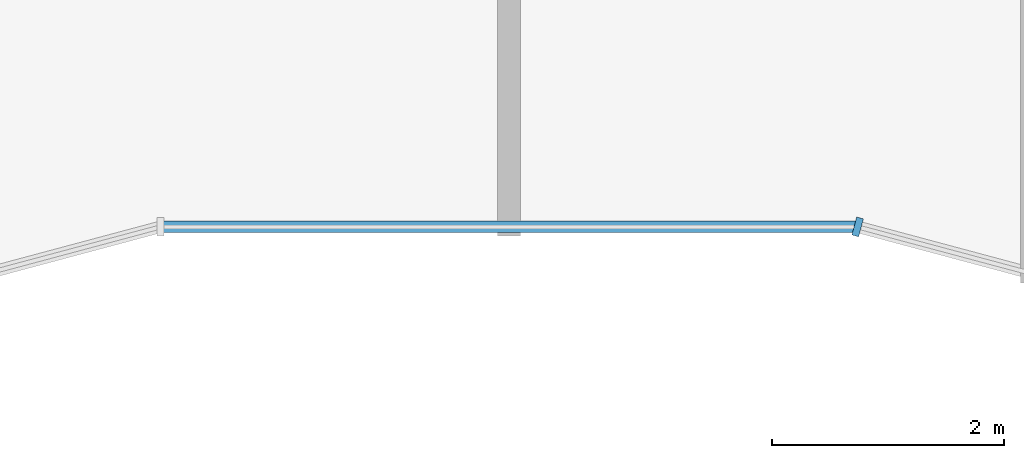
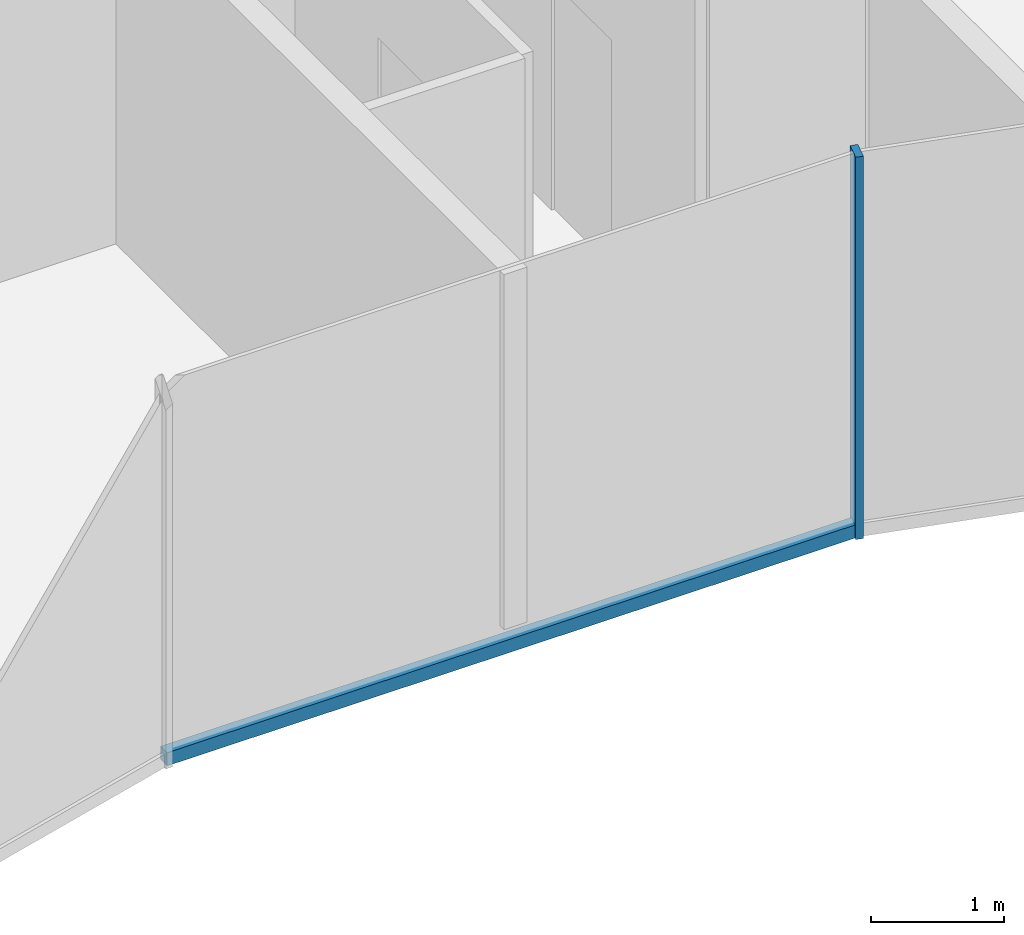
# One storey, part 3 of 17: 2 members, 2 elements without a shape of their own.
"""IFC4 building model written with IfcOpenShell, lengths in metres."""

from ifc_helpers import new_model, si_unit, direction, frame, origin, origin_2d, place, context, subcontext, project, spatial, rectangle, extrude, material, layer, layer_set, material_profile, profile_set, type_object, element, aggregate, save


model = new_model("IFC4")

# Units and contexts
model_context = context("Model", 3, precision=1e-05, world=origin(), true_north=direction((0.0, 1.0)))
body_context = subcontext(model_context, "Body", "Model", "MODEL_VIEW")
ifc_project = project(units=[si_unit("LENGTHUNIT", "METRE"), si_unit("AREAUNIT", "SQUARE_METRE"), si_unit("VOLUMEUNIT", "CUBIC_METRE"), si_unit("PLANEANGLEUNIT", "RADIAN"), si_unit("MASSUNIT", "GRAM", prefix="KILO")], contexts=[model_context])

# Site, building, storey
site_placement = place(None, origin())
site = spatial("IfcSite", under=ifc_project, at=site_placement, CompositionType="ELEMENT")
building_placement = place(site_placement, origin())
building = spatial("IfcBuilding", under=site, at=building_placement, Name="Plateau Cross Towers", CompositionType="ELEMENT")
storey_placement = place(building_placement, frame((0.0, 0.0, 142.89990234375)))
storey = spatial("IfcBuildingStorey", under=building, at=storey_placement, Name="L36", CompositionType="ELEMENT", Elevation=142.89990234375)

# Curtain wall, member
ifc_material_1 = material(Name="Dark low-iron glass", Category="glass")
ifc_layer = layer(ifc_material_1, 0.260009765625)
ifc_layer_set = layer_set([ifc_layer], Name="Dark low-iron glass")
curtain_wall_type = type_object("IfcCurtainWallType", Name="Curtain wall fluted unitised CW-A", PredefinedType="NOTDEFINED", material=ifc_layer_set)
curtain_wall_1_placement = place(storey_placement, origin())
curtain_wall_1 = element("IfcCurtainWall", 1, at=curtain_wall_1_placement, inside=storey, type_object=curtain_wall_type, Name="ENV/A/L36/A300_16", PredefinedType="NOTDEFINED")
ifc_material_2 = material(Name="Black anodised aluminium", Category="aluminium")
ifc_material_profile_1 = material_profile(ifc_material_2, rectangle(XDim=0.06005859375, YDim=0.159912109375, at=origin_2d()), Name="MULLION 60x160")
ifc_profile_set_1 = profile_set([ifc_material_profile_1], Name="Black anodised aluminium")
member_type_1 = type_object("IfcMemberType", Name="Mullion 60x160 fluted unitised", PredefinedType="MULLION", material=ifc_profile_set_1)
member_1_placement = place(storey_placement, frame((30.0, 1.60693359375, -0.25), z_axis=(0.0, 0.0, 1.0), x_axis=(0.965957983404, -0.258699003279, 0.0)))
member_1 = element("IfcMember", 2, at=member_1_placement, type_object=member_type_1, Name="CW-A mullion 1", PredefinedType="MULLION", context=body_context, shape_type="SweptSolid", body=[
    extrude(rectangle(XDim=0.06005859375, YDim=0.159912109375, at=origin_2d()), origin(), (0.0, 0.0, 1.0), 3.5),
])
aggregate(curtain_wall_1, [member_1])

curtain_wall_2_placement = place(storey_placement, origin())
curtain_wall_2 = element("IfcCurtainWall", 3, at=curtain_wall_2_placement, inside=storey, type_object=curtain_wall_type, Name="ENV/A/L36/A240_16", PredefinedType="NOTDEFINED")
ifc_material_profile_2 = material_profile(ifc_material_2, rectangle(XDim=0.10009765625, YDim=0.1201171875, at=origin_2d()), Name="TRANSOM 100x120")
ifc_profile_set_2 = profile_set([ifc_material_profile_2], Name="Black anodised aluminium")
member_type_2 = type_object("IfcMemberType", Name="Transom 100x120 fluted unitised", PredefinedType="USERDEFINED", material=ifc_profile_set_2)
member_2_placement = place(storey_placement, frame((24.0, 1.60693359375, -0.18994140625), z_axis=(1.0, 0.0, 0.0), x_axis=(0.0, 1.0, 0.0)))
member_2 = element("IfcMember", 4, at=member_2_placement, type_object=member_type_2, Name="CW-A transom", ObjectType="TRANSOM", PredefinedType="USERDEFINED", context=body_context, shape_type="SweptSolid", body=[
    extrude(rectangle(XDim=0.10009765625, YDim=0.1201171875, at=origin_2d()), origin(), (0.0, 0.0, 1.0), 6.0),
])
aggregate(curtain_wall_2, [member_2])

save(model, "model.ifc")
